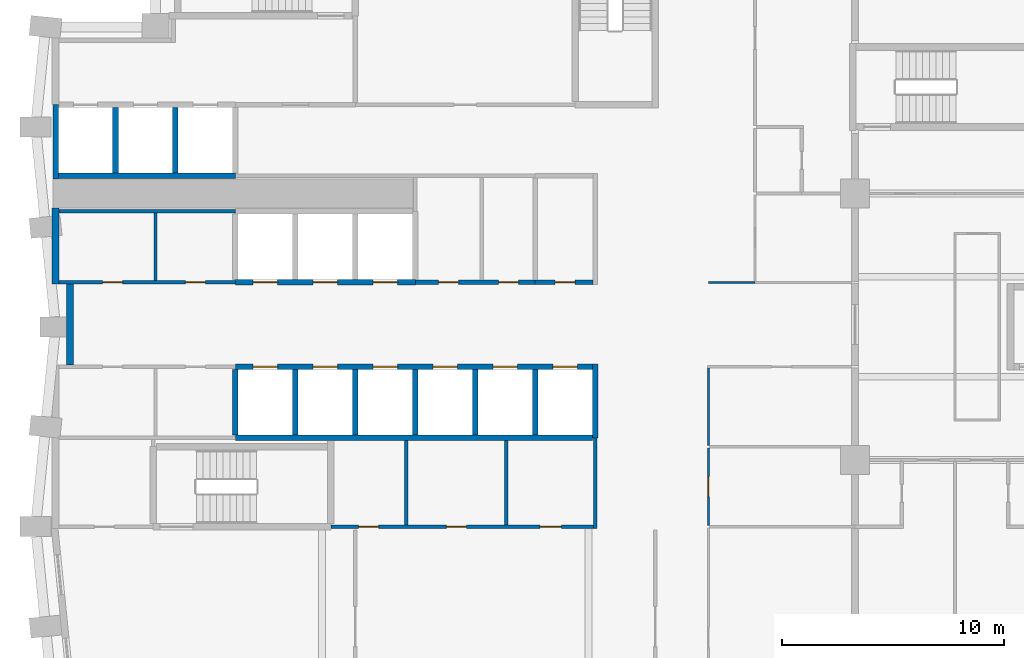
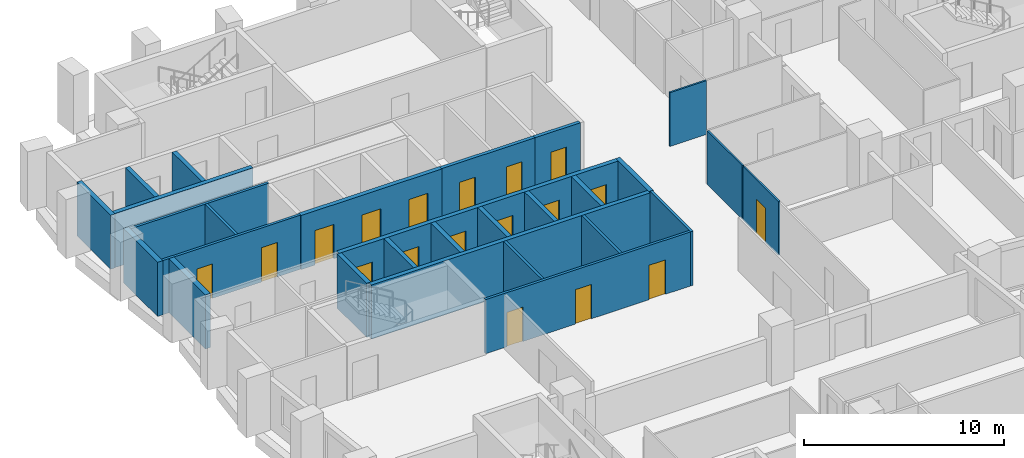
# One storey, part 6 of 13: 28 walls, 18 doors, 18 openings.
"""IFC4 building model written with IfcOpenShell, lengths in metres."""

from ifc_helpers import new_model, si_unit, direction, frame, frame_2d, origin, place, context, subcontext, project, spatial, rectangle, extrude, material, layer, layer_set, type_object, element, fill, save


model = new_model("IFC4")

# Units and contexts
model_context = context("Model", 3, precision=1e-05, world=origin(), true_north=direction((0.0, 1.0)))
body_context = subcontext(model_context, "Body", "Model", "MODEL_VIEW")
ifc_project = project(units=[si_unit("LENGTHUNIT", "METRE"), si_unit("AREAUNIT", "SQUARE_METRE"), si_unit("VOLUMEUNIT", "CUBIC_METRE"), si_unit("PLANEANGLEUNIT", "RADIAN"), si_unit("MASSUNIT", "GRAM", prefix="KILO")], contexts=[model_context])

# Site, building, storey
site_placement = place(None, origin())
site = spatial("IfcSite", under=ifc_project, at=site_placement, CompositionType="ELEMENT")
building_placement = place(site_placement, origin())
building = spatial("IfcBuilding", under=site, at=building_placement, Name="Brondeck Convention Tower", CompositionType="ELEMENT")
storey_placement = place(building_placement, frame((0.0, 0.0, 44.699951171875)))
storey = spatial("IfcBuildingStorey", under=building, at=storey_placement, Name="L08", CompositionType="ELEMENT", Elevation=44.699951171875)

# Wall, openings, doors
ifc_material_1 = material(Name="Concrete C80/95", Category="concrete")
ifc_layer_1 = layer(ifc_material_1, 0.14990234375)
ifc_layer_set_1 = layer_set([ifc_layer_1], Name="Core beam-seat wall 150 Concrete C80/95")
wall_type_1 = type_object("IfcWallType", Name="Core beam-seat wall 150 Concrete C80/95", PredefinedType="SHEAR", material=ifc_layer_set_1)
wall_1_placement = place(storey_placement, frame((12.39990234375, 36.0, 0.0), z_axis=(0.0, 0.0, 1.0), x_axis=(1.0, 0.0, 0.0)))
wall_1 = element("IfcWall", 1, at=wall_1_placement, inside=storey, type_object=wall_type_1, Name="L08 core wall", PredefinedType="SHEAR", context=body_context, shape_type="SweptSolid", body=[
    extrude(rectangle(XDim=11.8251953125, YDim=0.14990234375, at=frame_2d((5.91259765625, 0.0))), origin(), (0.0, 0.0, 1.0), 3.300048828125),
])
opening_1_placement = place(wall_1_placement, frame((1.25, 0.0, 0.0)))
opening_1 = element("IfcOpeningElement", 2, at=opening_1_placement, cuts=wall_1, Name="Opening C08-03", PredefinedType="OPENING", context=body_context, shape_type="SweptSolid", body=[
    extrude(rectangle(XDim=0.89990234375, YDim=2.10009765625, at=frame_2d((0.449951171875, 1.050048828125))), frame((0.0, 0.0849609375, 0.0), z_axis=(0.0, -1.0, 0.0), x_axis=(1.0, 0.0, 0.0)), (0.0, 0.0, 1.0), 0.169921875),
])
opening_2_placement = place(wall_1_placement, frame((5.199951171875, 0.0, 0.0)))
opening_2 = element("IfcOpeningElement", 3, at=opening_2_placement, cuts=wall_1, Name="Opening C08-04", PredefinedType="OPENING", context=body_context, shape_type="SweptSolid", body=[
    extrude(rectangle(XDim=0.89990234375, YDim=2.10009765625, at=frame_2d((0.449951171875, 1.050048828125))), frame((0.0, 0.0849609375, 0.0), z_axis=(0.0, -1.0, 0.0), x_axis=(1.0, 0.0, 0.0)), (0.0, 0.0, 1.0), 0.169921875),
])
opening_3_placement = place(wall_1_placement, frame((9.425048828125, 0.0, 0.0)))
opening_3 = element("IfcOpeningElement", 4, at=opening_3_placement, cuts=wall_1, Name="Opening C08-05", PredefinedType="OPENING", context=body_context, shape_type="SweptSolid", body=[
    extrude(rectangle(XDim=0.949951171875, YDim=2.10009765625, at=frame_2d((0.47509765625, 1.050048828125))), frame((0.0, 0.0849609375, 0.0), z_axis=(0.0, -1.0, 0.0), x_axis=(1.0, 0.0, 0.0)), (0.0, 0.0, 1.0), 0.169921875),
])
ifc_material_2 = material(Name="Steel fire door", Category="steel")
door_type_1 = type_object("IfcDoorType", Name="Room door 900x2100 EI 60", OperationType="NOTDEFINED", PredefinedType="DOOR", material=ifc_material_2)
door_1_placement = place(opening_1_placement, origin())
door_1 = element("IfcDoor", 5, at=door_1_placement, inside=storey, type_object=door_type_1, Name="L08 Room door FR-1", OperationType="SINGLE_SWING_RIGHT", OverallHeight=2.10009765625, OverallWidth=0.89990234375, PredefinedType="DOOR", context=body_context, shape_type="SweptSolid", body=[
    extrude(rectangle(XDim=0.89990234375, YDim=2.10009765625, at=frame_2d((0.449951171875, 1.050048828125))), frame((0.0, 0.02490234375, 0.0), z_axis=(0.0, -1.0, 0.0), x_axis=(1.0, 0.0, 0.0)), (0.0, 0.0, 1.0), 0.050048828125),
])
fill(opening_1, door_1)
door_2_placement = place(opening_2_placement, origin())
door_2 = element("IfcDoor", 6, at=door_2_placement, inside=storey, type_object=door_type_1, Name="L08 Room door FR-2", OperationType="SINGLE_SWING_LEFT", OverallHeight=2.10009765625, OverallWidth=0.89990234375, PredefinedType="DOOR", context=body_context, shape_type="SweptSolid", body=[
    extrude(rectangle(XDim=0.89990234375, YDim=2.10009765625, at=frame_2d((0.449951171875, 1.050048828125))), frame((0.0, 0.02490234375, 0.0), z_axis=(0.0, -1.0, 0.0), x_axis=(1.0, 0.0, 0.0)), (0.0, 0.0, 1.0), 0.050048828125),
])
fill(opening_2, door_2)
door_type_2 = type_object("IfcDoorType", Name="Room door 950x2100 EI 60", OperationType="NOTDEFINED", PredefinedType="DOOR", material=ifc_material_2)
door_3_placement = place(opening_3_placement, origin())
door_3 = element("IfcDoor", 7, at=door_3_placement, inside=storey, type_object=door_type_2, Name="L08 Room door FR-3", OperationType="SINGLE_SWING_RIGHT", OverallHeight=2.10009765625, OverallWidth=0.949951171875, PredefinedType="DOOR", context=body_context, shape_type="SweptSolid", body=[
    extrude(rectangle(XDim=0.949951171875, YDim=2.10009765625, at=frame_2d((0.47509765625, 1.050048828125))), frame((0.0, 0.02490234375, 0.0), z_axis=(0.0, -1.0, 0.0), x_axis=(1.0, 0.0, 0.0)), (0.0, 0.0, 1.0), 0.050048828125),
])
fill(opening_3, door_3)

# Walls
wall_2_placement = place(storey_placement, frame((24.300048828125, 35.925048828125, 0.0), z_axis=(0.0, 0.0, 1.0), x_axis=(0.0, 1.0, 0.0)))
element("IfcWall", 8, at=wall_2_placement, inside=storey, type_object=wall_type_1, Name="L08 core wall", PredefinedType="SHEAR", context=body_context, shape_type="SweptSolid", body=[
    extrude(rectangle(XDim=4.074951171875, YDim=0.14990234375, at=frame_2d((2.03759765625, 0.0))), origin(), (0.0, 0.0, 1.0), 3.300048828125),
])
ifc_layer_2 = layer(ifc_material_1, 0.300048828125)
ifc_layer_set_2 = layer_set([ifc_layer_2], Name="Core outer wall 300 Concrete C80/95")
wall_type_2 = type_object("IfcWallType", Name="Core outer wall 300 Concrete C80/95", PredefinedType="SHEAR", material=ifc_layer_set_2)
wall_3_placement = place(storey_placement, frame((0.0, 46.925048828125, 0.0), z_axis=(0.0, 0.0, 1.0), x_axis=(0.0, 1.0, 0.0)))
element("IfcWall", 9, at=wall_3_placement, inside=storey, type_object=wall_type_2, Name="L08 core wall", PredefinedType="SHEAR", context=body_context, shape_type="SweptSolid", body=[
    extrude(rectangle(XDim=3.425048828125, YDim=0.300048828125, at=frame_2d((1.71240234375, 0.0))), origin(), (0.0, 0.0, 1.0), 3.300048828125),
])
wall_4_placement = place(storey_placement, frame((0.64990234375, 43.27490234375, 0.0), z_axis=(0.0, 0.0, 1.0), x_axis=(0.0, 1.0, 0.0)))
element("IfcWall", 10, at=wall_4_placement, inside=storey, type_object=wall_type_2, Name="L08 core wall", PredefinedType="SHEAR", context=body_context, shape_type="SweptSolid", body=[
    extrude(rectangle(XDim=3.650146484375, YDim=0.300048828125, at=frame_2d((1.8251953125, 0.0))), origin(), (0.0, 0.0, 1.0), 3.300048828125),
])

# Wall, openings, doors
ifc_material_3 = material(Name="Fire-rated gypsum board partition")
ifc_layer_3 = layer(ifc_material_3, 0.14990234375)
ifc_layer_set_3 = layer_set([ifc_layer_3], Name="Core partition 150 EI 60")
wall_type_3 = type_object("IfcWallType", Name="Core partition 150 EI 60", PredefinedType="PARTITIONING", material=ifc_layer_set_3)
wall_5_placement = place(storey_placement, frame((0.14990234375, 47.0, 0.0), z_axis=(0.0, 0.0, 1.0), x_axis=(1.0, 0.0, 0.0)))
wall_5 = element("IfcWall", 11, at=wall_5_placement, inside=storey, type_object=wall_type_3, Name="L08 core wall", PredefinedType="PARTITIONING", context=body_context, shape_type="SweptSolid", body=[
    extrude(rectangle(XDim=7.9501953125, YDim=0.14990234375, at=frame_2d((3.97509765625, 0.0))), origin(), (0.0, 0.0, 1.0), 3.300048828125),
])
opening_4_placement = place(wall_5_placement, frame((1.97509765625, 0.0, 0.0)))
opening_4 = element("IfcOpeningElement", 12, at=opening_4_placement, cuts=wall_5, Name="Opening C08-07", PredefinedType="OPENING", context=body_context, shape_type="SweptSolid", body=[
    extrude(rectangle(XDim=0.89990234375, YDim=2.10009765625, at=frame_2d((0.449951171875, 1.050048828125))), frame((0.0, 0.0849609375, 0.0), z_axis=(0.0, -1.0, 0.0), x_axis=(1.0, 0.0, 0.0)), (0.0, 0.0, 1.0), 0.169921875),
])
opening_5_placement = place(wall_5_placement, frame((5.699951171875, 0.0, 0.0)))
opening_5 = element("IfcOpeningElement", 13, at=opening_5_placement, cuts=wall_5, Name="Opening C08-08", PredefinedType="OPENING", context=body_context, shape_type="SweptSolid", body=[
    extrude(rectangle(XDim=0.89990234375, YDim=2.10009765625, at=frame_2d((0.449951171875, 1.050048828125))), frame((0.0, 0.0849609375, 0.0), z_axis=(0.0, -1.0, 0.0), x_axis=(1.0, 0.0, 0.0)), (0.0, 0.0, 1.0), 0.169921875),
])
door_4_placement = place(opening_4_placement, origin())
door_4 = element("IfcDoor", 14, at=door_4_placement, inside=storey, type_object=door_type_1, Name="L08 Room door FZ-N-0-1", OperationType="SINGLE_SWING_RIGHT", OverallHeight=2.10009765625, OverallWidth=0.89990234375, PredefinedType="DOOR", context=body_context, shape_type="SweptSolid", body=[
    extrude(rectangle(XDim=0.89990234375, YDim=2.10009765625, at=frame_2d((0.449951171875, 1.050048828125))), frame((0.0, 0.02490234375, 0.0), z_axis=(0.0, -1.0, 0.0), x_axis=(1.0, 0.0, 0.0)), (0.0, 0.0, 1.0), 0.050048828125),
])
fill(opening_4, door_4)
door_5_placement = place(opening_5_placement, origin())
door_5 = element("IfcDoor", 15, at=door_5_placement, inside=storey, type_object=door_type_1, Name="L08 Room door FZ-N-0-2", OperationType="SINGLE_SWING_LEFT", OverallHeight=2.10009765625, OverallWidth=0.89990234375, PredefinedType="DOOR", context=body_context, shape_type="SweptSolid", body=[
    extrude(rectangle(XDim=0.89990234375, YDim=2.10009765625, at=frame_2d((0.449951171875, 1.050048828125))), frame((0.0, 0.02490234375, 0.0), z_axis=(0.0, -1.0, 0.0), x_axis=(1.0, 0.0, 0.0)), (0.0, 0.0, 1.0), 0.050048828125),
])
fill(opening_5, door_5)

# Walls
wall_6_placement = place(storey_placement, frame((0.14990234375, 50.199951171875, 0.0), z_axis=(0.0, 0.0, 1.0), x_axis=(1.0, 0.0, 0.0)))
element("IfcWall", 16, at=wall_6_placement, inside=storey, type_object=wall_type_3, Name="L08 core wall", PredefinedType="PARTITIONING", context=body_context, shape_type="SweptSolid", body=[
    extrude(rectangle(XDim=7.9501953125, YDim=0.14990234375, at=frame_2d((3.97509765625, 0.0))), origin(), (0.0, 0.0, 1.0), 3.300048828125),
])
wall_7_placement = place(storey_placement, frame((4.5, 47.074951171875, 0.0), z_axis=(0.0, 0.0, 1.0), x_axis=(0.0, 1.0, 0.0)))
element("IfcWall", 17, at=wall_7_placement, inside=storey, type_object=wall_type_3, Name="L08 core wall", PredefinedType="PARTITIONING", context=body_context, shape_type="SweptSolid", body=[
    extrude(rectangle(XDim=3.050048828125, YDim=0.14990234375, at=frame_2d((1.52490234375, 0.0))), origin(), (0.0, 0.0, 1.0), 3.300048828125),
])
for number, where, z_axis, x_axis, name in (
    (18, (15.800048828125, 36.074951171875, 0.0), (0.0, 0.0, 1.0), (0.0, 1.0, 0.0), "L08 core wall"),
    (19, (20.300048828125, 36.074951171875, 0.0), (0.0, 0.0, 1.0), (0.0, 1.0, 0.0), "L08 core wall"),
):
    element("IfcWall", number, at=place(storey_placement, frame(where, z_axis=z_axis, x_axis=x_axis)), inside=storey, type_object=wall_type_3, Name=name, PredefinedType="PARTITIONING", context=body_context, shape_type="SweptSolid", body=[
        extrude(rectangle(XDim=3.800048828125, YDim=0.14990234375, at=frame_2d((1.89990234375, 0.0))), origin(), (0.0, 0.0, 1.0), 3.300048828125),
    ])

# Wall, openings, doors
ifc_layer_4 = layer(ifc_material_3, 0.199951171875)
ifc_layer_set_4 = layer_set([ifc_layer_4], Name="Lift lobby wall 200 EI 60")
wall_type_4 = type_object("IfcWallType", Name="Lift lobby wall 200 EI 60", PredefinedType="PARTITIONING", material=ifc_layer_set_4)
wall_8_placement = place(storey_placement, frame((16.199951171875, 47.0, 0.0), z_axis=(0.0, 0.0, 1.0), x_axis=(1.0, 0.0, 0.0)))
wall_8 = element("IfcWall", 20, at=wall_8_placement, inside=storey, type_object=wall_type_4, Name="L08 core wall", PredefinedType="PARTITIONING", context=body_context, shape_type="SweptSolid", body=[
    extrude(rectangle(XDim=5.400146484375, YDim=0.199951171875, at=frame_2d((2.7001953125, 0.0))), origin(), (0.0, 0.0, 1.0), 3.300048828125),
])
opening_6_placement = place(wall_8_placement, frame((1.050048828125, 0.0, 0.0)))
opening_6 = element("IfcOpeningElement", 21, at=opening_6_placement, cuts=wall_8, Name="Opening C08-09", PredefinedType="OPENING", context=body_context, shape_type="SweptSolid", body=[
    extrude(rectangle(XDim=0.89990234375, YDim=2.10009765625, at=frame_2d((0.449951171875, 1.050048828125))), frame((0.0, 0.10986328125, 0.0), z_axis=(0.0, -1.0, 0.0), x_axis=(1.0, 0.0, 0.0)), (0.0, 0.0, 1.0), 0.219970703125),
])
opening_7_placement = place(wall_8_placement, frame((3.75, 0.0, 0.0)))
opening_7 = element("IfcOpeningElement", 22, at=opening_7_placement, cuts=wall_8, Name="Opening C08-10", PredefinedType="OPENING", context=body_context, shape_type="SweptSolid", body=[
    extrude(rectangle(XDim=0.89990234375, YDim=2.10009765625, at=frame_2d((0.449951171875, 1.050048828125))), frame((0.0, 0.10986328125, 0.0), z_axis=(0.0, -1.0, 0.0), x_axis=(1.0, 0.0, 0.0)), (0.0, 0.0, 1.0), 0.219970703125),
])
door_6_placement = place(opening_6_placement, origin())
door_6 = element("IfcDoor", 23, at=door_6_placement, inside=storey, type_object=door_type_1, Name="L08 Room door FZ-N-16.2-1", OperationType="SINGLE_SWING_LEFT", OverallHeight=2.10009765625, OverallWidth=0.89990234375, PredefinedType="DOOR", context=body_context, shape_type="SweptSolid", body=[
    extrude(rectangle(XDim=0.89990234375, YDim=2.10009765625, at=frame_2d((0.449951171875, 1.050048828125))), frame((0.0, 0.02490234375, 0.0), z_axis=(0.0, -1.0, 0.0), x_axis=(1.0, 0.0, 0.0)), (0.0, 0.0, 1.0), 0.050048828125),
])
fill(opening_6, door_6)
door_7_placement = place(opening_7_placement, origin())
door_7 = element("IfcDoor", 24, at=door_7_placement, inside=storey, type_object=door_type_1, Name="L08 Room door FZ-N-16.2-2", OperationType="SINGLE_SWING_RIGHT", OverallHeight=2.10009765625, OverallWidth=0.89990234375, PredefinedType="DOOR", context=body_context, shape_type="SweptSolid", body=[
    extrude(rectangle(XDim=0.89990234375, YDim=2.10009765625, at=frame_2d((0.449951171875, 1.050048828125))), frame((0.0, 0.02490234375, 0.0), z_axis=(0.0, -1.0, 0.0), x_axis=(1.0, 0.0, 0.0)), (0.0, 0.0, 1.0), 0.050048828125),
])
fill(opening_7, door_7)

# Wall
ifc_layer_5 = layer(ifc_material_1, 0.25)
ifc_layer_set_5 = layer_set([ifc_layer_5], Name="Lift shaft wall 250 Concrete C80/95")
wall_type_5 = type_object("IfcWallType", Name="Lift shaft wall 250 Concrete C80/95", PredefinedType="SHEAR", material=ifc_layer_set_5)
wall_9_placement = place(storey_placement, frame((8.10009765625, 40.0, 0.0), z_axis=(0.0, 0.0, 1.0), x_axis=(1.0, 0.0, 0.0)))
element("IfcWall", 25, at=wall_9_placement, inside=storey, type_object=wall_type_5, Name="L08 core wall", PredefinedType="SHEAR", context=body_context, shape_type="SweptSolid", body=[
    extrude(rectangle(XDim=16.074951171875, YDim=0.25, at=frame_2d((8.03759765625, 0.0))), origin(), (0.0, 0.0, 1.0), 3.300048828125),
])

# Wall, openings, doors
wall_10_placement = place(storey_placement, frame((8.10009765625, 43.199951171875, 0.0), z_axis=(0.0, 0.0, 1.0), x_axis=(1.0, 0.0, 0.0)))
wall_10 = element("IfcWall", 26, at=wall_10_placement, inside=storey, type_object=wall_type_5, Name="L08 core wall", PredefinedType="SHEAR", context=body_context, shape_type="SweptSolid", body=[
    extrude(rectangle(XDim=16.074951171875, YDim=0.25, at=frame_2d((8.03759765625, 0.0))), origin(), (0.0, 0.0, 1.0), 3.300048828125),
])
opening_8_placement = place(wall_10_placement, frame((14.300048828125, 0.0, 0.0)))
opening_8 = element("IfcOpeningElement", 27, at=opening_8_placement, cuts=wall_10, Name="Opening C08-24", PredefinedType="OPENING", context=body_context, shape_type="SweptSolid", body=[
    extrude(rectangle(XDim=1.10009765625, YDim=2.10009765625, at=frame_2d((0.550048828125, 1.050048828125))), frame((0.0, 0.135009765625, 0.0), z_axis=(0.0, -1.0, 0.0), x_axis=(1.0, 0.0, 0.0)), (0.0, 0.0, 1.0), 0.27001953125),
])
opening_9_placement = place(wall_10_placement, frame((0.800048828125, 0.0, 0.0)))
opening_9 = element("IfcOpeningElement", 28, at=opening_9_placement, cuts=wall_10, Name="Opening C08-25", PredefinedType="OPENING", context=body_context, shape_type="SweptSolid", body=[
    extrude(rectangle(XDim=1.10009765625, YDim=2.10009765625, at=frame_2d((0.550048828125, 1.050048828125))), frame((0.0, 0.135009765625, 0.0), z_axis=(0.0, -1.0, 0.0), x_axis=(1.0, 0.0, 0.0)), (0.0, 0.0, 1.0), 0.27001953125),
])
opening_10_placement = place(wall_10_placement, frame((3.5, 0.0, 0.0)))
opening_10 = element("IfcOpeningElement", 29, at=opening_10_placement, cuts=wall_10, Name="Opening C08-26", PredefinedType="OPENING", context=body_context, shape_type="SweptSolid", body=[
    extrude(rectangle(XDim=1.10009765625, YDim=2.10009765625, at=frame_2d((0.550048828125, 1.050048828125))), frame((0.0, 0.135009765625, 0.0), z_axis=(0.0, -1.0, 0.0), x_axis=(1.0, 0.0, 0.0)), (0.0, 0.0, 1.0), 0.27001953125),
])
opening_11_placement = place(wall_10_placement, frame((6.199951171875, 0.0, 0.0)))
opening_11 = element("IfcOpeningElement", 30, at=opening_11_placement, cuts=wall_10, Name="Opening C08-27", PredefinedType="OPENING", context=body_context, shape_type="SweptSolid", body=[
    extrude(rectangle(XDim=1.10009765625, YDim=2.10009765625, at=frame_2d((0.550048828125, 1.050048828125))), frame((0.0, 0.135009765625, 0.0), z_axis=(0.0, -1.0, 0.0), x_axis=(1.0, 0.0, 0.0)), (0.0, 0.0, 1.0), 0.27001953125),
])
opening_12_placement = place(wall_10_placement, frame((8.89990234375, 0.0, 0.0)))
opening_12 = element("IfcOpeningElement", 31, at=opening_12_placement, cuts=wall_10, Name="Opening C08-31", PredefinedType="OPENING", context=body_context, shape_type="SweptSolid", body=[
    extrude(rectangle(XDim=1.10009765625, YDim=2.10009765625, at=frame_2d((0.550048828125, 1.050048828125))), frame((0.0, 0.135009765625, 0.0), z_axis=(0.0, -1.0, 0.0), x_axis=(1.0, 0.0, 0.0)), (0.0, 0.0, 1.0), 0.27001953125),
])
opening_13_placement = place(wall_10_placement, frame((11.60009765625, 0.0, 0.0)))
opening_13 = element("IfcOpeningElement", 32, at=opening_13_placement, cuts=wall_10, Name="Opening C08-32", PredefinedType="OPENING", context=body_context, shape_type="SweptSolid", body=[
    extrude(rectangle(XDim=1.10009765625, YDim=2.10009765625, at=frame_2d((0.550048828125, 1.050048828125))), frame((0.0, 0.135009765625, 0.0), z_axis=(0.0, -1.0, 0.0), x_axis=(1.0, 0.0, 0.0)), (0.0, 0.0, 1.0), 0.27001953125),
])
ifc_material_4 = material(Name="Stainless steel lift door", Category="steel")
door_type_3 = type_object("IfcDoorType", Name="Lift landing door 1100x2100 EI 180", OperationType="DOUBLE_DOOR_SLIDING", PredefinedType="DOOR", material=ifc_material_4)
door_8_placement = place(opening_8_placement, origin())
door_8 = element("IfcDoor", 33, at=door_8_placement, inside=storey, type_object=door_type_3, Name="L08 Lift landing door HS1", OperationType="DOUBLE_DOOR_SLIDING", OverallHeight=2.10009765625, OverallWidth=1.10009765625, PredefinedType="DOOR", context=body_context, shape_type="SweptSolid", body=[
    extrude(rectangle(XDim=1.10009765625, YDim=2.10009765625, at=frame_2d((0.550048828125, 1.050048828125))), frame((0.0, 0.02490234375, 0.0), z_axis=(0.0, -1.0, 0.0), x_axis=(1.0, 0.0, 0.0)), (0.0, 0.0, 1.0), 0.050048828125),
])
fill(opening_8, door_8)
door_9_placement = place(opening_9_placement, origin())
door_9 = element("IfcDoor", 34, at=door_9_placement, inside=storey, type_object=door_type_3, Name="L08 Lift landing door LR1", OperationType="DOUBLE_DOOR_SLIDING", OverallHeight=2.10009765625, OverallWidth=1.10009765625, PredefinedType="DOOR", context=body_context, shape_type="SweptSolid", body=[
    extrude(rectangle(XDim=1.10009765625, YDim=2.10009765625, at=frame_2d((0.550048828125, 1.050048828125))), frame((0.0, 0.02490234375, 0.0), z_axis=(0.0, -1.0, 0.0), x_axis=(1.0, 0.0, 0.0)), (0.0, 0.0, 1.0), 0.050048828125),
])
fill(opening_9, door_9)
door_10_placement = place(opening_10_placement, origin())
door_10 = element("IfcDoor", 35, at=door_10_placement, inside=storey, type_object=door_type_3, Name="L08 Lift landing door LR2", OperationType="DOUBLE_DOOR_SLIDING", OverallHeight=2.10009765625, OverallWidth=1.10009765625, PredefinedType="DOOR", context=body_context, shape_type="SweptSolid", body=[
    extrude(rectangle(XDim=1.10009765625, YDim=2.10009765625, at=frame_2d((0.550048828125, 1.050048828125))), frame((0.0, 0.02490234375, 0.0), z_axis=(0.0, -1.0, 0.0), x_axis=(1.0, 0.0, 0.0)), (0.0, 0.0, 1.0), 0.050048828125),
])
fill(opening_10, door_10)
door_11_placement = place(opening_11_placement, origin())
door_11 = element("IfcDoor", 36, at=door_11_placement, inside=storey, type_object=door_type_3, Name="L08 Lift landing door LR3", OperationType="DOUBLE_DOOR_SLIDING", OverallHeight=2.10009765625, OverallWidth=1.10009765625, PredefinedType="DOOR", context=body_context, shape_type="SweptSolid", body=[
    extrude(rectangle(XDim=1.10009765625, YDim=2.10009765625, at=frame_2d((0.550048828125, 1.050048828125))), frame((0.0, 0.02490234375, 0.0), z_axis=(0.0, -1.0, 0.0), x_axis=(1.0, 0.0, 0.0)), (0.0, 0.0, 1.0), 0.050048828125),
])
fill(opening_11, door_11)
door_12_placement = place(opening_12_placement, origin())
door_12 = element("IfcDoor", 37, at=door_12_placement, inside=storey, type_object=door_type_3, Name="L08 Lift landing door SH1", OperationType="DOUBLE_DOOR_SLIDING", OverallHeight=2.10009765625, OverallWidth=1.10009765625, PredefinedType="DOOR", context=body_context, shape_type="SweptSolid", body=[
    extrude(rectangle(XDim=1.10009765625, YDim=2.10009765625, at=frame_2d((0.550048828125, 1.050048828125))), frame((0.0, 0.02490234375, 0.0), z_axis=(0.0, -1.0, 0.0), x_axis=(1.0, 0.0, 0.0)), (0.0, 0.0, 1.0), 0.050048828125),
])
fill(opening_12, door_12)
door_13_placement = place(opening_13_placement, origin())
door_13 = element("IfcDoor", 38, at=door_13_placement, inside=storey, type_object=door_type_3, Name="L08 Lift landing door SH2", OperationType="DOUBLE_DOOR_SLIDING", OverallHeight=2.10009765625, OverallWidth=1.10009765625, PredefinedType="DOOR", context=body_context, shape_type="SweptSolid", body=[
    extrude(rectangle(XDim=1.10009765625, YDim=2.10009765625, at=frame_2d((0.550048828125, 1.050048828125))), frame((0.0, 0.02490234375, 0.0), z_axis=(0.0, -1.0, 0.0), x_axis=(1.0, 0.0, 0.0)), (0.0, 0.0, 1.0), 0.050048828125),
])
fill(opening_13, door_13)

wall_11_placement = place(storey_placement, frame((8.10009765625, 47.0, 0.0), z_axis=(0.0, 0.0, 1.0), x_axis=(1.0, 0.0, 0.0)))
wall_11 = element("IfcWall", 39, at=wall_11_placement, inside=storey, type_object=wall_type_5, Name="L08 core wall", PredefinedType="SHEAR", context=body_context, shape_type="SweptSolid", body=[
    extrude(rectangle(XDim=8.099853515625, YDim=0.25, at=frame_2d((4.0498046875, 0.0))), origin(), (0.0, 0.0, 1.0), 3.300048828125),
])
opening_14_placement = place(wall_11_placement, frame((0.800048828125, 0.0, 0.0)))
opening_14 = element("IfcOpeningElement", 40, at=opening_14_placement, cuts=wall_11, Name="Opening C08-28", PredefinedType="OPENING", context=body_context, shape_type="SweptSolid", body=[
    extrude(rectangle(XDim=1.10009765625, YDim=2.10009765625, at=frame_2d((0.550048828125, 1.050048828125))), frame((0.0, 0.135009765625, 0.0), z_axis=(0.0, -1.0, 0.0), x_axis=(1.0, 0.0, 0.0)), (0.0, 0.0, 1.0), 0.27001953125),
])
opening_15_placement = place(wall_11_placement, frame((3.5, 0.0, 0.0)))
opening_15 = element("IfcOpeningElement", 41, at=opening_15_placement, cuts=wall_11, Name="Opening C08-29", PredefinedType="OPENING", context=body_context, shape_type="SweptSolid", body=[
    extrude(rectangle(XDim=1.10009765625, YDim=2.10009765625, at=frame_2d((0.550048828125, 1.050048828125))), frame((0.0, 0.135009765625, 0.0), z_axis=(0.0, -1.0, 0.0), x_axis=(1.0, 0.0, 0.0)), (0.0, 0.0, 1.0), 0.27001953125),
])
opening_16_placement = place(wall_11_placement, frame((6.199951171875, 0.0, 0.0)))
opening_16 = element("IfcOpeningElement", 42, at=opening_16_placement, cuts=wall_11, Name="Opening C08-30", PredefinedType="OPENING", context=body_context, shape_type="SweptSolid", body=[
    extrude(rectangle(XDim=1.10009765625, YDim=2.10009765625, at=frame_2d((0.550048828125, 1.050048828125))), frame((0.0, 0.135009765625, 0.0), z_axis=(0.0, -1.0, 0.0), x_axis=(1.0, 0.0, 0.0)), (0.0, 0.0, 1.0), 0.27001953125),
])
door_14_placement = place(opening_14_placement, origin())
door_14 = element("IfcDoor", 43, at=door_14_placement, inside=storey, type_object=door_type_3, Name="L08 Lift landing door LR4", OperationType="DOUBLE_DOOR_SLIDING", OverallHeight=2.10009765625, OverallWidth=1.10009765625, PredefinedType="DOOR", context=body_context, shape_type="SweptSolid", body=[
    extrude(rectangle(XDim=1.10009765625, YDim=2.10009765625, at=frame_2d((0.550048828125, 1.050048828125))), frame((0.0, 0.02490234375, 0.0), z_axis=(0.0, -1.0, 0.0), x_axis=(1.0, 0.0, 0.0)), (0.0, 0.0, 1.0), 0.050048828125),
])
fill(opening_14, door_14)
door_15_placement = place(opening_15_placement, origin())
door_15 = element("IfcDoor", 44, at=door_15_placement, inside=storey, type_object=door_type_3, Name="L08 Lift landing door LR5", OperationType="DOUBLE_DOOR_SLIDING", OverallHeight=2.10009765625, OverallWidth=1.10009765625, PredefinedType="DOOR", context=body_context, shape_type="SweptSolid", body=[
    extrude(rectangle(XDim=1.10009765625, YDim=2.10009765625, at=frame_2d((0.550048828125, 1.050048828125))), frame((0.0, 0.02490234375, 0.0), z_axis=(0.0, -1.0, 0.0), x_axis=(1.0, 0.0, 0.0)), (0.0, 0.0, 1.0), 0.050048828125),
])
fill(opening_15, door_15)
door_16_placement = place(opening_16_placement, origin())
door_16 = element("IfcDoor", 45, at=door_16_placement, inside=storey, type_object=door_type_3, Name="L08 Lift landing door LR6", OperationType="DOUBLE_DOOR_SLIDING", OverallHeight=2.10009765625, OverallWidth=1.10009765625, PredefinedType="DOOR", context=body_context, shape_type="SweptSolid", body=[
    extrude(rectangle(XDim=1.10009765625, YDim=2.10009765625, at=frame_2d((0.550048828125, 1.050048828125))), frame((0.0, 0.02490234375, 0.0), z_axis=(0.0, -1.0, 0.0), x_axis=(1.0, 0.0, 0.0)), (0.0, 0.0, 1.0), 0.050048828125),
])
fill(opening_16, door_16)

# Walls
wall_12_placement = place(storey_placement, frame((0.125, 51.800048828125, 0.0), z_axis=(0.0, 0.0, 1.0), x_axis=(1.0, 0.0, 0.0)))
element("IfcWall", 46, at=wall_12_placement, inside=storey, type_object=wall_type_5, Name="L08 core wall", PredefinedType="SHEAR", context=body_context, shape_type="SweptSolid", body=[
    extrude(rectangle(XDim=7.97509765625, YDim=0.25, at=frame_2d((3.987548828125, 0.0))), origin(), (0.0, 0.0, 1.0), 3.300048828125),
])
wall_13_placement = place(storey_placement, frame((0.0, 51.64990234375, 0.0), z_axis=(0.0, 0.0, 1.0), x_axis=(0.0, 1.0, 0.0)))
element("IfcWall", 47, at=wall_13_placement, inside=storey, type_object=wall_type_5, Name="L08 core wall", PredefinedType="SHEAR", context=body_context, shape_type="SweptSolid", body=[
    extrude(rectangle(XDim=3.35009765625, YDim=0.25, at=frame_2d((1.675048828125, 0.0))), origin(), (0.0, 0.0, 1.0), 3.300048828125),
])
for number, where, z_axis, x_axis, name in (
    (48, (2.699951171875, 51.925048828125, 0.0), (0.0, 0.0, 1.0), (0.0, 1.0, 0.0), "L08 core wall"),
    (49, (5.39990234375, 51.925048828125, 0.0), (0.0, 0.0, 1.0), (0.0, 1.0, 0.0), "L08 core wall"),
    (50, (8.10009765625, 40.125, 0.0), (0.0, 0.0, 1.0), (0.0, 1.0, 0.0), "L08 core wall"),
    (51, (10.800048828125, 40.125, 0.0), (0.0, 0.0, 1.0), (0.0, 1.0, 0.0), "L08 core wall"),
    (52, (13.5, 40.125, 0.0), (0.0, 0.0, 1.0), (0.0, 1.0, 0.0), "L08 core wall"),
    (53, (16.199951171875, 40.125, 0.0), (0.0, 0.0, 1.0), (0.0, 1.0, 0.0), "L08 core wall"),
    (54, (18.89990234375, 40.125, 0.0), (0.0, 0.0, 1.0), (0.0, 1.0, 0.0), "L08 core wall"),
    (55, (21.60009765625, 40.125, 0.0), (0.0, 0.0, 1.0), (0.0, 1.0, 0.0), "L08 core wall"),
):
    element("IfcWall", number, at=place(storey_placement, frame(where, z_axis=z_axis, x_axis=x_axis)), inside=storey, type_object=wall_type_5, Name=name, PredefinedType="SHEAR", context=body_context, shape_type="SweptSolid", body=[
        extrude(rectangle(XDim=2.949951171875, YDim=0.25, at=frame_2d((1.47509765625, 0.0))), origin(), (0.0, 0.0, 1.0), 3.300048828125),
    ])
wall_14_placement = place(storey_placement, frame((24.300048828125, 40.0, 0.0), z_axis=(0.0, 0.0, 1.0), x_axis=(0.0, 1.0, 0.0)))
element("IfcWall", 56, at=wall_14_placement, inside=storey, type_object=wall_type_5, Name="L08 core wall", PredefinedType="SHEAR", context=body_context, shape_type="SweptSolid", body=[
    extrude(rectangle(XDim=3.324951171875, YDim=0.25, at=frame_2d((1.66259765625, 0.0))), origin(), (0.0, 0.0, 1.0), 3.300048828125),
])

# Wall, opening, door
ifc_layer_6 = layer(ifc_material_3, 0.199951171875)
ifc_layer_set_6 = layer_set([ifc_layer_6], Name="Riser wall 200 EI 120")
wall_type_6 = type_object("IfcWallType", Name="Riser wall 200 EI 120", PredefinedType="PARTITIONING", material=ifc_layer_set_6)
wall_15_placement = place(storey_placement, frame((21.60009765625, 47.0, 0.0), z_axis=(0.0, 0.0, 1.0), x_axis=(1.0, 0.0, 0.0)))
wall_15 = element("IfcWall", 57, at=wall_15_placement, inside=storey, type_object=wall_type_6, Name="L08 core wall", PredefinedType="PARTITIONING", context=body_context, shape_type="SweptSolid", body=[
    extrude(rectangle(XDim=2.599853515625, YDim=0.199951171875, at=frame_2d((1.2998046875, 0.0))), origin(), (0.0, 0.0, 1.0), 3.300048828125),
])
opening_17_placement = place(wall_15_placement, frame((0.89990234375, 0.0, 0.0)))
opening_17 = element("IfcOpeningElement", 58, at=opening_17_placement, cuts=wall_15, Name="Opening C08-02", PredefinedType="OPENING", context=body_context, shape_type="SweptSolid", body=[
    extrude(rectangle(XDim=0.89990234375, YDim=2.10009765625, at=frame_2d((0.449951171875, 1.050048828125))), frame((0.0, 0.10986328125, 0.0), z_axis=(0.0, -1.0, 0.0), x_axis=(1.0, 0.0, 0.0)), (0.0, 0.0, 1.0), 0.219970703125),
])
door_type_4 = type_object("IfcDoorType", Name="Riser door 900x2100 EI 120", OperationType="NOTDEFINED", PredefinedType="DOOR", material=ifc_material_2)
door_17_placement = place(opening_17_placement, origin())
door_17 = element("IfcDoor", 59, at=door_17_placement, inside=storey, type_object=door_type_4, Name="L08 Riser door EN-1", OperationType="SINGLE_SWING_LEFT", OverallHeight=2.10009765625, OverallWidth=0.89990234375, PredefinedType="DOOR", context=body_context, shape_type="SweptSolid", body=[
    extrude(rectangle(XDim=0.89990234375, YDim=2.10009765625, at=frame_2d((0.449951171875, 1.050048828125))), frame((0.0, 0.02490234375, 0.0), z_axis=(0.0, -1.0, 0.0), x_axis=(1.0, 0.0, 0.0)), (0.0, 0.0, 1.0), 0.050048828125),
])
fill(opening_17, door_17)

ifc_material_5 = material(Name="Gypsum board partition on steel studs", Category="steel")
ifc_layer_7 = layer(ifc_material_5, 0.10009765625)
ifc_layer_set_7 = layer_set([ifc_layer_7], Name="Room partition 100")
wall_type_7 = type_object("IfcWallType", Name="Room partition 100", PredefinedType="PARTITIONING", material=ifc_layer_set_7)
wall_16_placement = place(storey_placement, frame((29.39990234375, 39.550048828125, 0.0), z_axis=(0.0, 0.0, 1.0), x_axis=(0.0, -1.0, 0.0)))
wall_16 = element("IfcWall", 60, at=wall_16_placement, inside=storey, type_object=wall_type_7, Name="FLR-L08-W102", PredefinedType="PARTITIONING", context=body_context, shape_type="SweptSolid", body=[
    extrude(rectangle(XDim=3.5, YDim=0.10009765625, at=frame_2d((1.75, 0.0))), origin(), (0.0, 0.0, 1.0), 3.280029296875),
])
opening_18_placement = place(wall_16_placement, frame((1.300048828125, 0.0, 0.0)))
opening_18 = element("IfcOpeningElement", 61, at=opening_18_placement, cuts=wall_16, Name="Opening H1-050", PredefinedType="OPENING", context=body_context, shape_type="SweptSolid", body=[
    extrude(rectangle(XDim=0.89990234375, YDim=2.10009765625, at=frame_2d((0.449951171875, 1.050048828125))), frame((0.0, 0.06005859375, 0.0), z_axis=(0.0, -1.0, 0.0), x_axis=(1.0, 0.0, 0.0)), (0.0, 0.0, 1.0), 0.1201171875),
])
ifc_material_6 = material(Name="Solid timber door leaf", Category="wood")
door_type_5 = type_object("IfcDoorType", Name="Single door 900", OperationType="NOTDEFINED", PredefinedType="DOOR", material=ifc_material_6)
door_18_placement = place(opening_18_placement, origin())
door_18 = element("IfcDoor", 62, at=door_18_placement, inside=storey, type_object=door_type_5, Name="Door H1-050", OperationType="SINGLE_SWING_RIGHT", OverallHeight=2.10009765625, OverallWidth=0.89990234375, PredefinedType="DOOR", context=body_context, shape_type="SweptSolid", body=[
    extrude(rectangle(XDim=0.89990234375, YDim=2.10009765625, at=frame_2d((0.449951171875, 1.050048828125))), frame((0.0, 0.02490234375, 0.0), z_axis=(0.0, -1.0, 0.0), x_axis=(1.0, 0.0, 0.0)), (0.0, 0.0, 1.0), 0.050048828125),
])
fill(opening_18, door_18)

# Walls
wall_17_placement = place(storey_placement, frame((29.39990234375, 43.14990234375, 0.0), z_axis=(0.0, 0.0, 1.0), x_axis=(0.0, -1.0, 0.0)))
element("IfcWall", 63, at=wall_17_placement, inside=storey, type_object=wall_type_7, Name="FLR-L08-W109", PredefinedType="PARTITIONING", context=body_context, shape_type="SweptSolid", body=[
    extrude(rectangle(XDim=3.5, YDim=0.10009765625, at=frame_2d((1.75, 0.0))), origin(), (0.0, 0.0, 1.0), 3.280029296875),
])
wall_18_placement = place(storey_placement, frame((29.39990234375, 47.0, 0.0), z_axis=(0.0, 0.0, 1.0), x_axis=(1.0, 0.0, 0.0)))
element("IfcWall", 64, at=wall_18_placement, inside=storey, type_object=wall_type_7, Name="FLR-L08-W115", PredefinedType="PARTITIONING", context=body_context, shape_type="SweptSolid", body=[
    extrude(rectangle(XDim=2.10009765625, YDim=0.10009765625, at=frame_2d((1.050048828125, 0.0))), origin(), (0.0, 0.0, 1.0), 3.280029296875),
])

save(model, "model.ifc")
